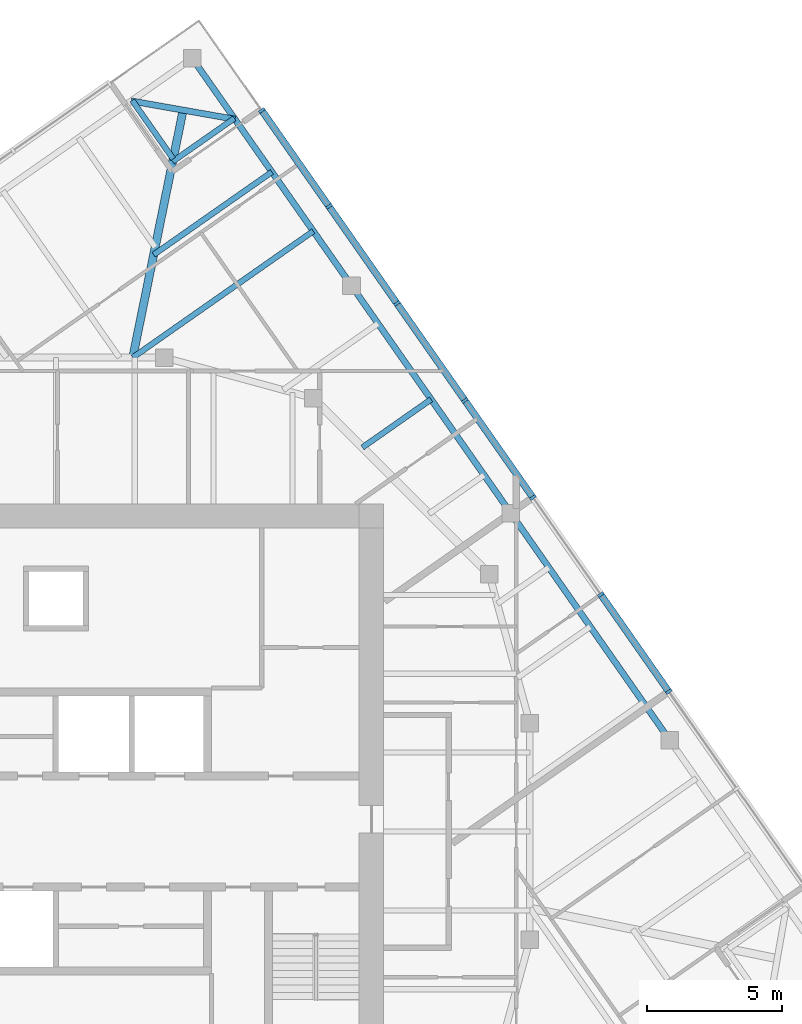
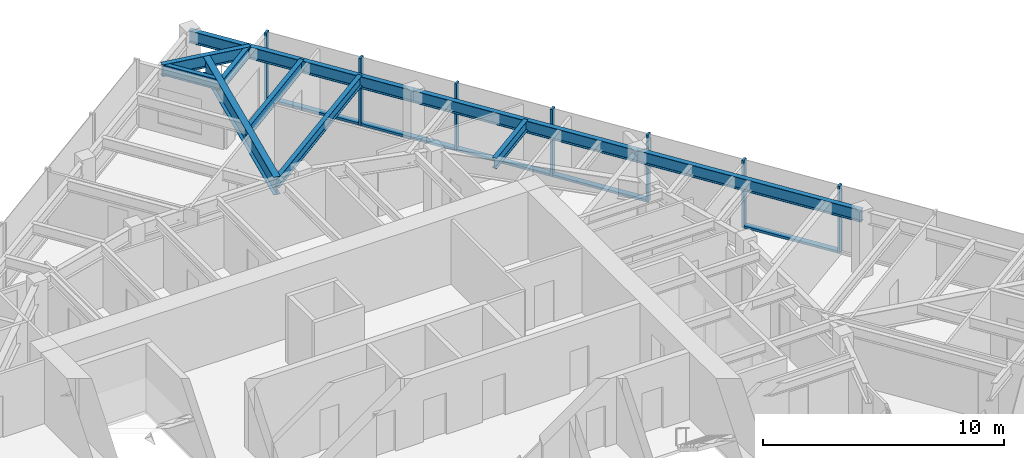
# One storey, part 5 of 12: 12 members, 10 beams, 1 element without a shape of its own.
"""IFC4 building model written with IfcOpenShell, lengths in metres."""

from ifc_helpers import new_model, si_unit, direction, frame, origin, origin_2d, place, context, subcontext, project, spatial, rectangle, i_section, extrude, material, material_profile, profile_set, type_object, element, aggregate, save


model = new_model("IFC4")

# Units and contexts
model_context = context("Model", 3, precision=1e-05, world=origin(), true_north=direction((0.0, 1.0)))
body_context = subcontext(model_context, "Body", "Model", "MODEL_VIEW")
ifc_project = project(units=[si_unit("LENGTHUNIT", "METRE"), si_unit("AREAUNIT", "SQUARE_METRE"), si_unit("VOLUMEUNIT", "CUBIC_METRE"), si_unit("PLANEANGLEUNIT", "RADIAN"), si_unit("MASSUNIT", "GRAM", prefix="KILO")], contexts=[model_context])

# Site, building, storey
site_placement = place(None, origin())
site = spatial("IfcSite", under=ifc_project, at=site_placement, CompositionType="ELEMENT")
building_placement = place(site_placement, origin())
building = spatial("IfcBuilding", under=site, at=building_placement, Name="Torsade Residences", CompositionType="ELEMENT")
storey_placement = place(building_placement, frame((0.0, 0.0, 243.800048828125)))
storey = spatial("IfcBuildingStorey", under=building, at=storey_placement, Name="L67", CompositionType="ELEMENT", Elevation=243.800048828125)

# Beams
ifc_material_1 = material(Name="Steel grade 300", Category="steel")
ifc_material_profile_1 = material_profile(ifc_material_1, i_section(OverallWidth=0.300048828125, OverallDepth=0.89990234375, WebThickness=0.011962890625, FlangeThickness=0.02490234375, at=origin_2d()), Name="900WB175")
ifc_profile_set_1 = profile_set([ifc_material_profile_1], Name="Steel grade 300")
beam_type_1 = type_object("IfcBeamType", Name="CORNER GIRDER 900WB175", PredefinedType="BEAM", material=ifc_profile_set_1)
beam_1_placement = place(storey_placement, frame((44.696533203125, 56.635986328125, 2.800048828125), z_axis=(-0.199584461589, -0.979880626756, 0.0), x_axis=(0.979880626756, -0.199584461589, 0.0)))
element("IfcBeam", 1, at=beam_1_placement, inside=storey, type_object=beam_type_1, Name="Corner girder 09 L68", PredefinedType="BEAM", context=body_context, shape_type="SweptSolid", body=[
    extrude(i_section(OverallWidth=0.300048828125, OverallDepth=0.89990234375, WebThickness=0.011962890625, FlangeThickness=0.02490234375, at=origin_2d()), origin(), (0.0, 0.0, 1.0), 9.323486328125),
])
ifc_material_2 = material(Name="Steel grade 300", Category="steel")
ifc_material_profile_2 = material_profile(ifc_material_2, i_section(OverallWidth=0.22802734375, OverallDepth=0.60205078125, WebThickness=0.010498046875, FlangeThickness=0.014892578125, FilletRadius=0.013916015625, at=origin_2d()), Name="610UB101")
ifc_profile_set_2 = profile_set([ifc_material_profile_2], Name="Steel grade 300")
beam_type_2 = type_object("IfcBeamType", Name="CORNER TRIMMER 610UB101", PredefinedType="BEAM", material=ifc_profile_set_2)
beam_2_placement = place(storey_placement, frame((42.78173828125, 56.9736328125, 2.948974609375), z_axis=(0.984808196894, -0.173645660267, 0.0), x_axis=(0.173645660267, 0.984808196894, 0.0)))
element("IfcBeam", 2, at=beam_2_placement, inside=storey, type_object=beam_type_2, Name="Corner trimmer 09 L68", PredefinedType="BEAM", context=body_context, shape_type="SweptSolid", body=[
    extrude(i_section(OverallWidth=0.22802734375, OverallDepth=0.60205078125, WebThickness=0.010498046875, FlangeThickness=0.014892578125, FilletRadius=0.013916015625, at=origin_2d()), origin(), (0.0, 0.0, 1.0), 3.888916015625),
])
ifc_material_3 = material(Name="Steel grade 300", Category="steel")
ifc_material_profile_3 = material_profile(ifc_material_3, i_section(OverallWidth=0.22900390625, OverallDepth=0.612060546875, WebThickness=0.011962890625, FlangeThickness=0.01953125, FilletRadius=0.013916015625, at=origin_2d()), Name="610UB125")
ifc_profile_set_3 = profile_set([ifc_material_profile_3], Name="Steel grade 300")
beam_type_3 = type_object("IfcBeamType", Name="EDGE BEAM 610UB125", PredefinedType="SPANDREL", material=ifc_profile_set_3)
for number, where, z_axis, x_axis, name in (
    (3, (62.671875, 33.362060546875, 2.94384765625), (-0.573579034377, 0.819150225126, 0.0), (-0.819150225126, -0.573579034377, 0.0), "Edge beam 06 L68"),
    (4, (56.792724609375, 41.75830078125, 2.94384765625), (-0.573579034377, 0.819150225126, 0.0), (-0.819150225126, -0.573579034377, 0.0), "Edge beam 07 L68"),
):
    element("IfcBeam", number, at=place(storey_placement, frame(where, z_axis=z_axis, x_axis=x_axis)), inside=storey, type_object=beam_type_3, Name=name, PredefinedType="SPANDREL", context=body_context, shape_type="SweptSolid", body=[
        extrude(i_section(OverallWidth=0.22900390625, OverallDepth=0.612060546875, WebThickness=0.011962890625, FlangeThickness=0.01953125, FilletRadius=0.013916015625, at=origin_2d()), origin(), (0.0, 0.0, 1.0), 10.25),
    ])
beam_3_placement = place(storey_placement, frame((50.91357421875, 50.154541015625, 2.94384765625), z_axis=(-0.573583825578, 0.819146870247, 0.0), x_axis=(-0.819146870247, -0.573583825578, 0.0)))
element("IfcBeam", 5, at=beam_3_placement, inside=storey, type_object=beam_type_3, Name="Edge beam 08 L68", PredefinedType="SPANDREL", context=body_context, shape_type="SweptSolid", body=[
    extrude(i_section(OverallWidth=0.22900390625, OverallDepth=0.612060546875, WebThickness=0.011962890625, FlangeThickness=0.01953125, FilletRadius=0.013916015625, at=origin_2d()), origin(), (0.0, 0.0, 1.0), 10.250244140625),
])

# Curtain wall, members
ifc_material_4 = material(Name="Aluminium and glass", Category="aluminium")
curtain_wall_type = type_object("IfcCurtainWallType", Name="FRITTED GLASS CURTAIN WALL HIGH ZONE", PredefinedType="NOTDEFINED", material=ifc_material_4)
curtain_wall_placement = place(storey_placement, origin())
curtain_wall = element("IfcCurtainWall", 6, at=curtain_wall_placement, inside=storey, type_object=curtain_wall_type, Name="Curtain wall L67 face 4", PredefinedType="NOTDEFINED")
ifc_material_5 = material(Name="Aluminium mullion", Category="aluminium")
ifc_material_profile_4 = material_profile(ifc_material_5, rectangle(XDim=0.25, YDim=0.10009765625, at=origin_2d()), Name="HIGH ZONE CURTAIN WALL MULLION 250x100")
ifc_profile_set_4 = profile_set([ifc_material_profile_4], Name="Aluminium mullion")
member_type_1 = type_object("IfcMemberType", Name="HIGH ZONE CURTAIN WALL MULLION 250x100", PredefinedType="MULLION", material=ifc_profile_set_4)
member_1_placement = place(storey_placement, frame((62.630615234375, 35.164306640625, 0.0), z_axis=(0.0, 0.0, 1.0), x_axis=(-0.819152029353, -0.573576457682, 0.0)))
member_1 = element("IfcMember", 7, at=member_1_placement, type_object=member_type_1, Name="Mullion 3", PredefinedType="MULLION", context=body_context, shape_type="SweptSolid", body=[
    extrude(rectangle(XDim=0.25, YDim=0.10009765625, at=origin_2d()), origin(), (0.0, 0.0, 1.0), 3.39990234375),
])
member_2_placement = place(storey_placement, frame((60.12109375, 38.748046875, 0.0), z_axis=(0.0, 0.0, 1.0), x_axis=(-0.819152029353, -0.573576457682, 0.0)))
member_2 = element("IfcMember", 8, at=member_2_placement, type_object=member_type_1, Name="Mullion 4", PredefinedType="MULLION", context=body_context, shape_type="SweptSolid", body=[
    extrude(rectangle(XDim=0.25, YDim=0.10009765625, at=origin_2d()), origin(), (0.0, 0.0, 1.0), 3.39990234375),
])
member_3_placement = place(storey_placement, frame((57.61181640625, 42.331787109375, 0.0), z_axis=(0.0, 0.0, 1.0), x_axis=(-0.819152029353, -0.573576457682, 0.0)))
member_3 = element("IfcMember", 9, at=member_3_placement, type_object=member_type_1, Name="Mullion 5", PredefinedType="MULLION", context=body_context, shape_type="SweptSolid", body=[
    extrude(rectangle(XDim=0.25, YDim=0.10009765625, at=origin_2d()), origin(), (0.0, 0.0, 1.0), 3.39990234375),
])
member_4_placement = place(storey_placement, frame((55.102294921875, 45.915771484375, 0.0), z_axis=(0.0, 0.0, 1.0), x_axis=(-0.819152029353, -0.573576457682, 0.0)))
member_4 = element("IfcMember", 10, at=member_4_placement, type_object=member_type_1, Name="Mullion 6", PredefinedType="MULLION", context=body_context, shape_type="SweptSolid", body=[
    extrude(rectangle(XDim=0.25, YDim=0.10009765625, at=origin_2d()), origin(), (0.0, 0.0, 1.0), 3.39990234375),
])
member_5_placement = place(storey_placement, frame((52.593017578125, 49.49951171875, 0.0), z_axis=(0.0, 0.0, 1.0), x_axis=(-0.819152029353, -0.573576457682, 0.0)))
member_5 = element("IfcMember", 11, at=member_5_placement, type_object=member_type_1, Name="Mullion 7", PredefinedType="MULLION", context=body_context, shape_type="SweptSolid", body=[
    extrude(rectangle(XDim=0.25, YDim=0.10009765625, at=origin_2d()), origin(), (0.0, 0.0, 1.0), 3.39990234375),
])
member_6_placement = place(storey_placement, frame((50.08349609375, 53.083251953125, 0.0), z_axis=(0.0, 0.0, 1.0), x_axis=(-0.819152029353, -0.573576457682, 0.0)))
member_6 = element("IfcMember", 12, at=member_6_placement, type_object=member_type_1, Name="Mullion 8", PredefinedType="MULLION", context=body_context, shape_type="SweptSolid", body=[
    extrude(rectangle(XDim=0.25, YDim=0.10009765625, at=origin_2d()), origin(), (0.0, 0.0, 1.0), 3.39990234375),
])
member_7_placement = place(storey_placement, frame((47.602783203125, 56.6259765625, 0.0), z_axis=(0.0, 0.0, 1.0), x_axis=(-0.819152029353, -0.573576457682, 0.0)))
member_7 = element("IfcMember", 13, at=member_7_placement, type_object=member_type_1, Name="Mullion 9", PredefinedType="MULLION", context=body_context, shape_type="SweptSolid", body=[
    extrude(rectangle(XDim=0.25, YDim=0.10009765625, at=origin_2d()), origin(), (0.0, 0.0, 1.0), 3.39990234375),
])
ifc_material_6 = material(Name="Aluminium transom", Category="aluminium")
ifc_material_profile_5 = material_profile(ifc_material_6, rectangle(XDim=0.25, YDim=0.1201171875, at=origin_2d()), Name="HIGH ZONE CURTAIN WALL TRANSOM 250x120")
ifc_profile_set_5 = profile_set([ifc_material_profile_5], Name="Aluminium transom")
member_type_2 = type_object("IfcMemberType", Name="HIGH ZONE CURTAIN WALL TRANSOM 250x120", PredefinedType="USERDEFINED", material=ifc_profile_set_5)
member_8_placement = place(storey_placement, frame((62.601806640625, 35.205322265625, 0.06005859375), z_axis=(-0.573573496219, 0.819154102984, 0.0), x_axis=(-0.819154102984, -0.573573496219, 0.0)))
member_8 = element("IfcMember", 14, at=member_8_placement, type_object=member_type_2, Name="Transom 3.1", ObjectType="TRANSOM", PredefinedType="USERDEFINED", context=body_context, shape_type="SweptSolid", body=[
    extrude(rectangle(XDim=0.25, YDim=0.1201171875, at=origin_2d()), origin(), (0.0, 0.0, 1.0), 4.27490234375),
])
member_9_placement = place(storey_placement, frame((57.5830078125, 42.372802734375, 0.06005859375), z_axis=(-0.573546663483, 0.81917289067, 0.0), x_axis=(-0.81917289067, -0.573546663483, 0.0)))
member_9 = element("IfcMember", 15, at=member_9_placement, type_object=member_type_2, Name="Transom 5.1", ObjectType="TRANSOM", PredefinedType="USERDEFINED", context=body_context, shape_type="SweptSolid", body=[
    extrude(rectangle(XDim=0.25, YDim=0.1201171875, at=origin_2d()), origin(), (0.0, 0.0, 1.0), 4.27490234375),
])
member_10_placement = place(storey_placement, frame((55.07373046875, 45.95654296875, 0.06005859375), z_axis=(-0.57358498433, 0.819146058863, 0.0), x_axis=(-0.819146058863, -0.57358498433, 0.0)))
member_10 = element("IfcMember", 16, at=member_10_placement, type_object=member_type_2, Name="Transom 6.1", ObjectType="TRANSOM", PredefinedType="USERDEFINED", context=body_context, shape_type="SweptSolid", body=[
    extrude(rectangle(XDim=0.25, YDim=0.1201171875, at=origin_2d()), origin(), (0.0, 0.0, 1.0), 4.275146484375),
])
member_11_placement = place(storey_placement, frame((52.564208984375, 49.54052734375, 0.06005859375), z_axis=(-0.573573496219, 0.819154102984, 0.0), x_axis=(-0.819154102984, -0.573573496219, 0.0)))
member_11 = element("IfcMember", 17, at=member_11_placement, type_object=member_type_2, Name="Transom 7.1", ObjectType="TRANSOM", PredefinedType="USERDEFINED", context=body_context, shape_type="SweptSolid", body=[
    extrude(rectangle(XDim=0.25, YDim=0.1201171875, at=origin_2d()), origin(), (0.0, 0.0, 1.0), 4.27490234375),
])
member_12_placement = place(storey_placement, frame((50.054931640625, 53.124267578125, 0.06005859375), z_axis=(-0.573570928023, 0.819155901234, 0.0), x_axis=(-0.819155901234, -0.573570928023, 0.0)))
member_12 = element("IfcMember", 18, at=member_12_placement, type_object=member_type_2, Name="Transom 8.1", ObjectType="TRANSOM", PredefinedType="USERDEFINED", context=body_context, shape_type="SweptSolid", body=[
    extrude(rectangle(XDim=0.25, YDim=0.1201171875, at=origin_2d()), origin(), (0.0, 0.0, 1.0), 4.22509765625),
])
aggregate(curtain_wall, [member_1, member_2, member_3, member_4, member_5, member_6, member_7, member_8, member_9, member_10, member_11, member_12])

# Beams
ifc_material_7 = material(Name="Steel grade 300", Category="steel")
ifc_material_profile_6 = material_profile(ifc_material_7, i_section(OverallWidth=0.208984375, OverallDepth=0.532958984375, WebThickness=0.01025390625, FlangeThickness=0.015625, FilletRadius=0.013916015625, at=origin_2d()), Name="530UB92.4")
ifc_profile_set_6 = profile_set([ifc_material_profile_6], Name="Steel grade 300")
beam_type_4 = type_object("IfcBeamType", Name="SECONDARY BEAM 530UB92.4", PredefinedType="JOIST", material=ifc_profile_set_6)
beam_4_placement = place(storey_placement, frame((53.85302734375, 45.95654296875, 2.9833984375), z_axis=(-0.819135534955, -0.573600013401, 0.0), x_axis=(0.573600013401, -0.819135534955, 0.0)))
element("IfcBeam", 19, at=beam_4_placement, inside=storey, type_object=beam_type_4, Name="Floor beam FE08 L68", PredefinedType="JOIST", context=body_context, shape_type="SweptSolid", body=[
    extrude(i_section(OverallWidth=0.208984375, OverallDepth=0.532958984375, WebThickness=0.01025390625, FlangeThickness=0.015625, FilletRadius=0.013916015625, at=origin_2d()), origin(), (0.0, 0.0, 1.0), 3.09423828125),
])
beam_5_placement = place(storey_placement, frame((49.50341796875, 52.16845703125, 2.9833984375), z_axis=(-0.819151588523, -0.573577087251, 0.0), x_axis=(0.573577087251, -0.819151588523, 0.0)))
element("IfcBeam", 20, at=beam_5_placement, inside=storey, type_object=beam_type_4, Name="Floor beam FE10 L68", PredefinedType="JOIST", context=body_context, shape_type="SweptSolid", body=[
    extrude(i_section(OverallWidth=0.208984375, OverallDepth=0.532958984375, WebThickness=0.01025390625, FlangeThickness=0.015625, FilletRadius=0.013916015625, at=origin_2d()), origin(), (0.0, 0.0, 1.0), 8.13916015625),
])
beam_6_placement = place(storey_placement, frame((47.973876953125, 54.352783203125, 2.9833984375), z_axis=(-0.819137197966, -0.573597638513, 0.0), x_axis=(0.573597638513, -0.819137197966, 0.0)))
element("IfcBeam", 21, at=beam_6_placement, inside=storey, type_object=beam_type_4, Name="Floor beam FE11 L68", PredefinedType="JOIST", context=body_context, shape_type="SweptSolid", body=[
    extrude(i_section(OverallWidth=0.208984375, OverallDepth=0.532958984375, WebThickness=0.01025390625, FlangeThickness=0.015625, FilletRadius=0.013916015625, at=origin_2d()), origin(), (0.0, 0.0, 1.0), 5.328369140625),
])
beam_7_placement = place(storey_placement, frame((46.587646484375, 56.332275390625, 2.9833984375), z_axis=(-0.819190669238, -0.573521270253, 0.0), x_axis=(0.573521270253, -0.819190669238, 0.0)))
element("IfcBeam", 22, at=beam_7_placement, inside=storey, type_object=beam_type_4, Name="Floor beam FE12 L68", PredefinedType="JOIST", context=body_context, shape_type="SweptSolid", body=[
    extrude(i_section(OverallWidth=0.208984375, OverallDepth=0.532958984375, WebThickness=0.01025390625, FlangeThickness=0.015625, FilletRadius=0.013916015625, at=origin_2d()), origin(), (0.0, 0.0, 1.0), 2.780517578125),
])
beam_8_placement = place(storey_placement, frame((42.815673828125, 56.99755859375, 2.9833984375), z_axis=(0.573592685254, -0.819140666445, 0.0), x_axis=(0.819140666445, 0.573592685254, 0.0)))
element("IfcBeam", 23, at=beam_8_placement, inside=storey, type_object=beam_type_4, Name="Floor beam FN01 L68", PredefinedType="JOIST", context=body_context, shape_type="SweptSolid", body=[
    extrude(i_section(OverallWidth=0.208984375, OverallDepth=0.532958984375, WebThickness=0.01025390625, FlangeThickness=0.015625, FilletRadius=0.013916015625, at=origin_2d()), origin(), (0.0, 0.0, 1.0), 2.639892578125),
])

save(model, "model.ifc")
